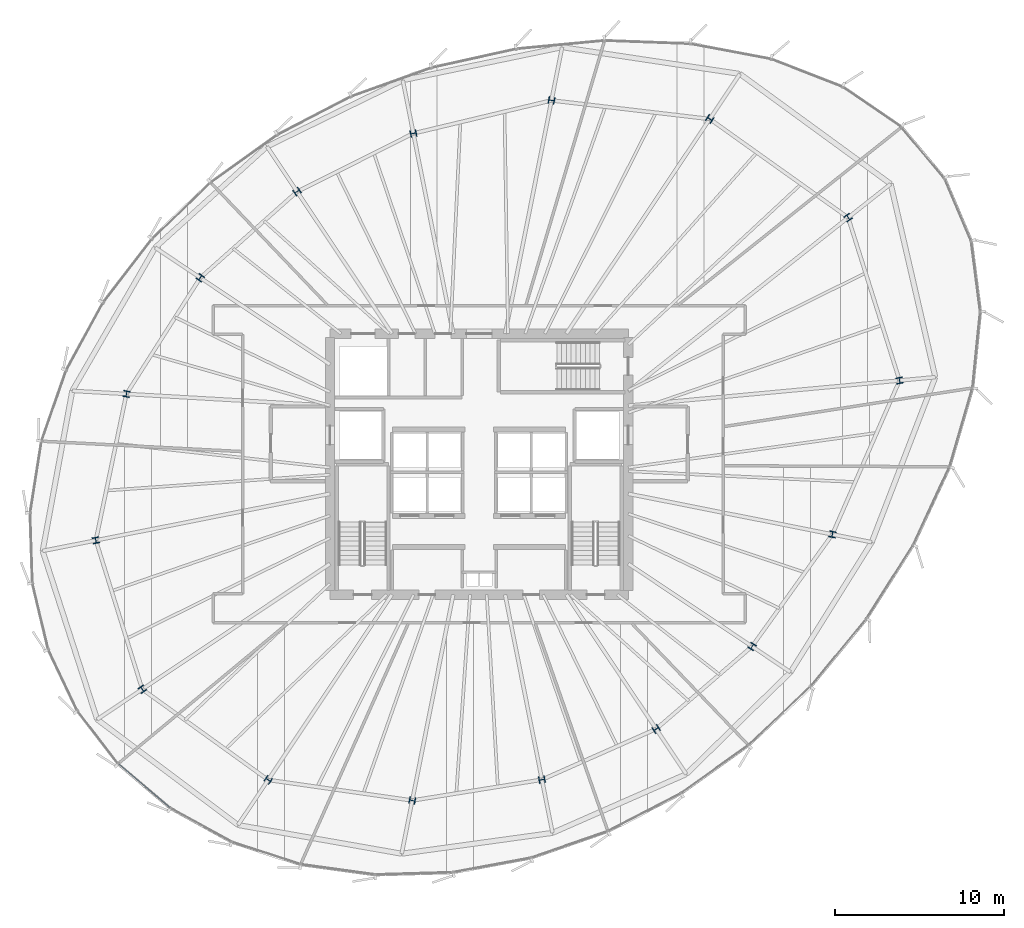
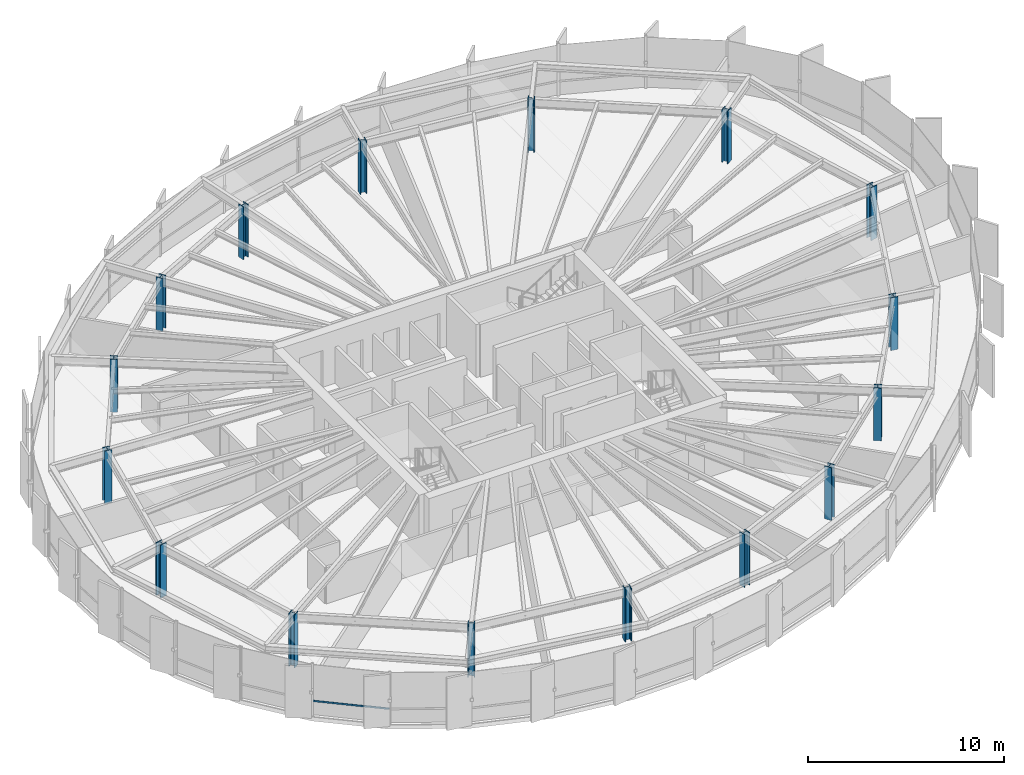
# One storey, part 1 of 32: 16 columns, 1 member, 1 element without a shape of its own.
"""IFC4 building model written with IfcOpenShell, lengths in metres."""

from ifc_helpers import new_model, si_unit, direction, frame, origin, origin_2d, place, context, subcontext, project, spatial, hollow_rectangle, i_section, extrude, source, transform, mapped, material, layer, layer_set, material_profile, profile_set, type_object, element, aggregate, save


model = new_model("IFC4")

# Units and contexts
model_context = context("Model", 3, precision=1e-05, world=origin(), true_north=direction((0.0, 1.0)))
body_context = subcontext(model_context, "Body", "Model", "MODEL_VIEW")
ifc_project = project(units=[si_unit("LENGTHUNIT", "METRE"), si_unit("AREAUNIT", "SQUARE_METRE"), si_unit("VOLUMEUNIT", "CUBIC_METRE"), si_unit("PLANEANGLEUNIT", "RADIAN"), si_unit("MASSUNIT", "GRAM", prefix="KILO"), si_unit("THERMODYNAMICTEMPERATUREUNIT", "KELVIN")], contexts=[model_context])

# Site, building, storey
site_placement = place(None, origin())
site = spatial("IfcSite", under=ifc_project, at=site_placement, CompositionType="ELEMENT")
building_placement = place(site_placement, origin())
building = spatial("IfcBuilding", under=site, at=building_placement, Name="Kethvar Cultural Tower", CompositionType="ELEMENT")
storey_placement = place(building_placement, frame((0.0, 0.0, 160.75)))
storey = spatial("IfcBuildingStorey", under=building, at=storey_placement, Name="L41", CompositionType="ELEMENT", Elevation=160.75)

# Columns
ifc_material_1 = material(Name="Steel S460M", Category="steel")
ifc_material_profile_1 = material_profile(ifc_material_1, i_section(OverallWidth=0.39697265625, OverallDepth=0.364990234375, WebThickness=0.028076171875, FlangeThickness=0.0439453125, FilletRadius=0.014892578125, at=origin_2d()), Name="Steel S460M — HD400x592")
ifc_profile_set_1 = profile_set([ifc_material_profile_1], Name="Steel S460M — HD400x592")
column_type = type_object("IfcColumnType", Name="COL-HD592", PredefinedType="COLUMN", material=ifc_profile_set_1)
shared_shape_1 = source(origin(), body_context, "Body", "SweptSolid", [
    extrude(i_section(OverallWidth=0.39697265625, OverallDepth=0.364990234375, WebThickness=0.028076171875, FlangeThickness=0.0439453125, FilletRadius=0.014892578125, at=origin_2d()), origin(), (0.0, 0.0, 1.0), 3.300048828125),
])
for number, where, z_axis, x_axis, name in (
    (1, (71.6025390625, 32.7333984375, 0.0), (0.0, 0.0, 1.0), (0.980785280403, 0.195090322016, 0.0), "L41 Mega-Column MC-01"),
    (2, (68.568603515625, 42.34521484375, 0.0), (0.0, 0.0, 1.0), (0.831469612303, 0.55557023302, 0.0), "L41 Mega-Column MC-02"),
    (3, (60.40478515625, 48.160888671875, 0.0), (0.0, 0.0, 1.0), (0.55557023302, 0.831469612303, 0.0), "L41 Mega-Column MC-03"),
    (4, (51.068603515625, 49.25927734375, 0.0), (0.0, 0.0, 1.0), (0.195090322016, 0.980785280403, 0.0), "L41 Mega-Column MC-04"),
    (5, (42.9189453125, 47.311279296875, 0.0), (0.0, 0.0, 1.0), (-0.195090322016, 0.980785280403, 0.0), "L41 Mega-Column MC-05"),
    (6, (36.0576171875, 43.877197265625, 0.0), (0.0, 0.0, 1.0), (-0.55557023302, 0.831469612303, 0.0), "L41 Mega-Column MC-06"),
    (7, (30.345947265625, 38.794189453125, 0.0), (0.0, 0.0, 1.0), (-0.831469612303, 0.55557023302, 0.0), "L41 Mega-Column MC-07"),
    (8, (25.988525390625, 31.939697265625, 0.0), (0.0, 0.0, 1.0), (-0.980785280403, 0.195090322016, 0.0), "L41 Mega-Column MC-08"),
    (9, (24.185302734375, 23.3017578125, 0.0), (0.0, 0.0, 1.0), (-0.980785280403, -0.195090322016, 0.0), "L41 Mega-Column MC-09"),
    (10, (26.920654296875, 14.51708984375, 0.0), (0.0, 0.0, 1.0), (-0.831469612303, -0.55557023302, 0.0), "L41 Mega-Column MC-10"),
    (11, (34.350830078125, 9.16845703125, 0.0), (0.0, 0.0, 1.0), (-0.55557023302, -0.831469612303, 0.0), "L41 Mega-Column MC-11"),
    (12, (42.852294921875, 7.95361328125, 0.0), (0.0, 0.0, 1.0), (-0.195090322016, -0.980785280403, 0.0), "L41 Mega-Column MC-12"),
    (13, (50.50341796875, 9.182373046875, 0.0), (0.0, 0.0, 1.0), (0.195090322016, -0.980785280403, 0.0), "L41 Mega-Column MC-13"),
    (14, (57.241943359375, 12.17236328125, 0.0), (0.0, 0.0, 1.0), (0.55557023302, -0.831469612303, 0.0), "L41 Mega-Column MC-14"),
    (15, (62.898681640625, 17.043212890625, 0.0), (0.0, 0.0, 1.0), (0.831469612303, -0.55557023302, 0.0), "L41 Mega-Column MC-15"),
    (16, (67.638671875, 23.65478515625, 0.0), (0.0, 0.0, 1.0), (0.980785280403, -0.195090322016, 0.0), "L41 Mega-Column MC-16"),
):
    element("IfcColumn", number, at=place(storey_placement, frame(where, z_axis=z_axis, x_axis=x_axis)), inside=storey, type_object=column_type, Name=name, PredefinedType="COLUMN", context=body_context, shape_type="MappedRepresentation", body=[
        mapped(shared_shape_1, transform((0.0, 0.0, 0.0), scale=1.0)),
    ])

# Curtain wall, member
ifc_material_2 = material(Name="Aluminium 6063-T6", Category="aluminium")
ifc_layer = layer(ifc_material_2, 0.179931640625, Name="Aluminium 6063-T6", Category="aluminium")
ifc_layer_set = layer_set([ifc_layer], Name="Aluminium 6063-T6 (180 mm)")
curtain_wall_type = type_object("IfcCurtainWallType", Name="CW-SYS-04-Z34", PredefinedType="NOTDEFINED", material=ifc_layer_set)
curtain_wall_placement = place(storey_placement, origin())
curtain_wall = element("IfcCurtainWall", 17, at=curtain_wall_placement, inside=storey, type_object=curtain_wall_type, Name="L41 Curtain Wall Run 04", PredefinedType="NOTDEFINED")
ifc_material_profile_2 = material_profile(ifc_material_2, hollow_rectangle(XDim=0.050048828125, YDim=0.10009765625, WallThickness=0.00390625, at=origin_2d()), Name="Aluminium 6063-T6 — RHS100x50x4")
ifc_profile_set_2 = profile_set([ifc_material_profile_2], Name="Aluminium 6063-T6 — RHS100x50x4")
member_type = type_object("IfcMemberType", Name="CW-SYS-04-Z34-TRN", PredefinedType="USERDEFINED", material=ifc_profile_set_2)
shared_shape_2 = source(origin(), body_context, "Body", "SweptSolid", [
    extrude(hollow_rectangle(XDim=0.050048828125, YDim=0.10009765625, WallThickness=0.00390625, at=origin_2d()), origin(), (0.0, 0.0, 1.0), 3.967529296875),
])
member_placement = place(storey_placement, frame((25.539306640625, 10.1025390625, 0.949951171875), z_axis=(0.761562652802, -0.648091294385, 0.0), x_axis=(0.648091294385, 0.761562652802, 0.0)))
member = element("IfcMember", 18, at=member_placement, type_object=member_type, Name="CW-L41-R04 Transom 2", ObjectType="TRANSOM", PredefinedType="USERDEFINED", context=body_context, shape_type="MappedRepresentation", body=[
    mapped(shared_shape_2, transform((0.0, 0.0, 0.0), scale=1.0)),
])
aggregate(curtain_wall, [member])

save(model, "model.ifc")
